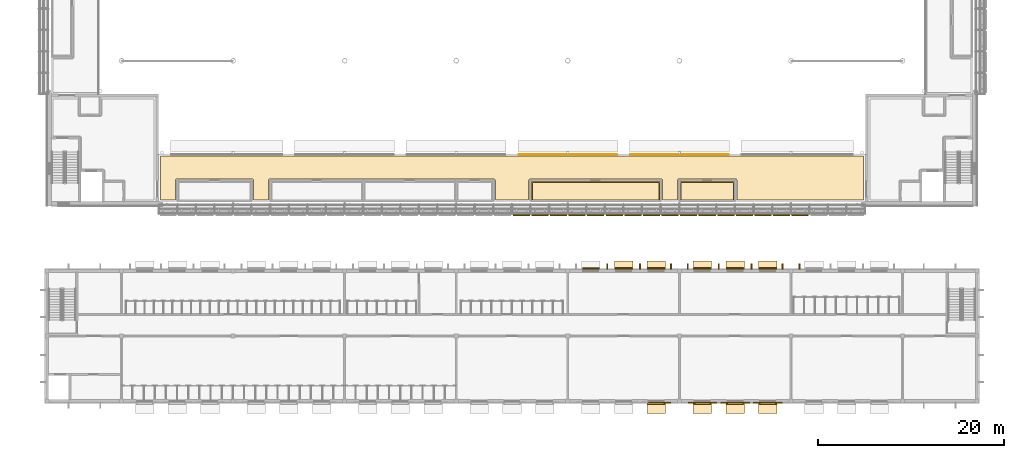
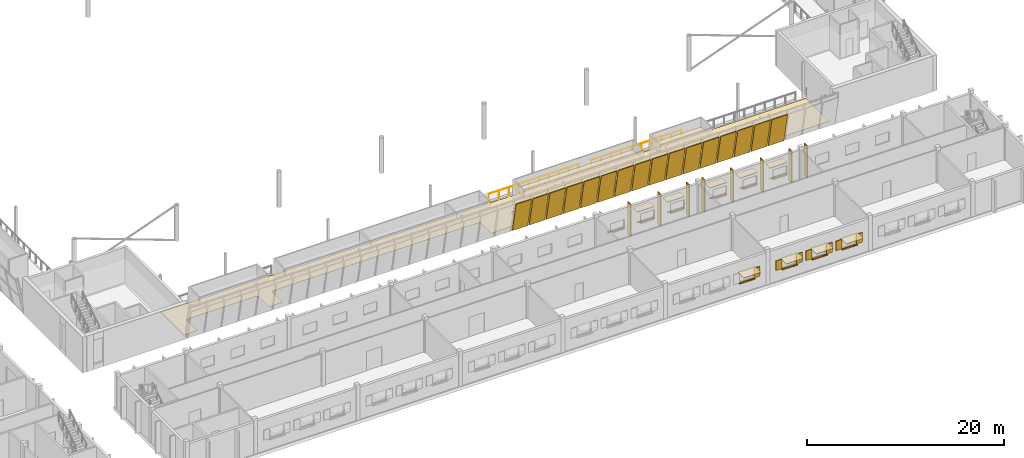
# One storey, part 100 of 115: 31 shading devices, 24 coverings, 2 railings.
"""IFC4 building model written with IfcOpenShell, lengths in metres."""

import ifcopenshell
import ifcopenshell.guid

model = None  # the IFC model being written
_history = None  # IfcOwnerHistory: only IFC2X3 demands one
_inside = {}  # id of a spatial element -> (the spatial element, [elements in it])
_under = {}  # id of a project, library or spatial element -> (it, [spatial elements below it])
_declared = {}  # id of a project -> (the project, [libraries it declares])
_typed = {}  # id of a type object -> (the type object, [elements of that type])
_made_of = {}  # id of a material, layer set ... -> (it, [elements and type objects made of it])


def new_model(schema):
    """Start an empty IFC model of exactly this schema.

    Asked for "IFC4X3", IfcOpenShell would pick the latest addendum, in which some entities
    have other attributes; the version numbers below select the first issue.
    IFC2X3 requires an IfcOwnerHistory on every rooted entity: one is made here for all.
    """
    global model, _history
    if schema == "IFC4X3":
        model = ifcopenshell.file(schema_version=(4, 3, 0, 0))
    else:
        model = ifcopenshell.file(schema=schema)
    _inside.clear()
    _under.clear()
    _declared.clear()
    _typed.clear()
    _made_of.clear()
    _history = None
    if model.schema == "IFC2X3":
        org = make("IfcOrganization", Name="unknown")
        user = make(
            "IfcPersonAndOrganization",
            ThePerson=make("IfcPerson", FamilyName="unknown"),
            TheOrganization=org,
        )
        app = make(
            "IfcApplication",
            ApplicationDeveloper=org,
            Version="unknown",
            ApplicationFullName="unknown",
            ApplicationIdentifier="unknown",
        )
        _history = make(
            "IfcOwnerHistory",
            OwningUser=user,
            OwningApplication=app,
            ChangeAction="ADDED",
            CreationDate=0,
        )
    return model


def make(cls, **values):
    """One entity of the class cls with the attributes given. An attribute that is None is left unset."""
    return model.create_entity(
        cls, **{name: value for name, value in values.items() if value is not None}
    )


def rooted(cls, **values):
    """An entity with a GlobalId (a new one), such as an element, a storey or a relation."""
    return make(cls, GlobalId=ifcopenshell.guid.new(), OwnerHistory=_history, **values)


def si_unit(unit_type, name, prefix=None):
    """IfcSIUnit, for example si_unit("LENGTHUNIT", "METRE", prefix="MILLI")."""
    return make("IfcSIUnit", UnitType=unit_type, Prefix=prefix, Name=name)


def assignment(units):
    """IfcUnitAssignment: the units of a project."""
    return None if units is None else make("IfcUnitAssignment", Units=units)


def point(xyz):
    """IfcCartesianPoint."""
    return None if xyz is None else make("IfcCartesianPoint", Coordinates=xyz)


def direction(xyz):
    """IfcDirection."""
    return None if xyz is None else make("IfcDirection", DirectionRatios=xyz)


def frame(location, z_axis=None, x_axis=None):
    """IfcAxis2Placement3D, a coordinate frame: its origin and axes. An axis left out is left unset."""
    return make(
        "IfcAxis2Placement3D",
        Location=point(location),
        Axis=direction(z_axis),
        RefDirection=direction(x_axis),
    )


def frame_2d(location, x_axis=None):
    """IfcAxis2Placement2D, a coordinate frame in the plane: its origin and x axis."""
    return make(
        "IfcAxis2Placement2D", Location=point(location), RefDirection=direction(x_axis)
    )


def origin():
    """The frame at (0, 0, 0) with its axes left unset."""
    return frame((0.0, 0.0, 0.0))


def origin_2d():
    """The frame at (0, 0) in the plane with its x axis left unset."""
    return frame_2d((0.0, 0.0))


def place(relative_to, where):
    """IfcLocalPlacement: puts the frame where relative to a parent placement (None: the world)."""
    return make(
        "IfcLocalPlacement", PlacementRelTo=relative_to, RelativePlacement=where
    )


def context(
    kind, dimensions, precision=None, world=None, true_north=None, identifier=None
):
    """IfcGeometricRepresentationContext, for example the 3D "Model" context."""
    return make(
        "IfcGeometricRepresentationContext",
        ContextIdentifier=identifier,
        ContextType=kind,
        CoordinateSpaceDimension=dimensions,
        Precision=precision,
        WorldCoordinateSystem=world,
        TrueNorth=true_north,
    )


def subcontext(parent, identifier, kind, view, scale=None):
    """IfcGeometricRepresentationSubContext, for example "Body" below "Model"."""
    return make(
        "IfcGeometricRepresentationSubContext",
        ContextIdentifier=identifier,
        ContextType=kind,
        ParentContext=parent,
        TargetScale=scale,
        TargetView=view,
    )


def project(units=None, contexts=None):
    """IfcProject with its units and contexts."""
    return rooted(
        "IfcProject",
        Name="project",
        RepresentationContexts=contexts,
        UnitsInContext=assignment(units),
    )


def spatial(cls, under=None, at=None, **own):
    """A site, building, storey or space (cls), placed at a placement, below another one or the project."""
    s = rooted(cls, ObjectPlacement=at, **own)
    if under is not None:
        _under.setdefault(under.id(), (under, []))[1].append(s)
    return s


def polyline(points):
    """IfcPolyline through the points."""
    return make("IfcPolyline", Points=[point(p) for p in points])


def profile(cls, at=None, kind="AREA", **sizes):
    """A parametric profile (cls). Its sizes go by their IFC names, for example OverallWidth=200.0."""
    return make(cls, ProfileType=kind, Position=at, **sizes)


def circle(**sizes):
    """IfcCircleProfileDef."""
    return profile("IfcCircleProfileDef", **sizes)


def outline(outer, holes=None, kind="AREA"):
    """IfcArbitraryClosedProfileDef: a profile drawn as a closed curve; with holes, ...WithVoids."""
    if holes is None:
        return make("IfcArbitraryClosedProfileDef", ProfileType=kind, OuterCurve=outer)
    return make(
        "IfcArbitraryProfileDefWithVoids",
        ProfileType=kind,
        OuterCurve=outer,
        InnerCurves=holes,
    )


def extrude(swept, where, along, depth):
    """IfcExtrudedAreaSolid: the profile swept, set in the frame where, extruded along a direction by depth."""
    return make(
        "IfcExtrudedAreaSolid",
        SweptArea=swept,
        Position=where,
        ExtrudedDirection=direction(along),
        Depth=depth,
    )


def shape(context_of_items, identifier, shape_type, items):
    """IfcShapeRepresentation: the items that make up one representation, for example the "Body"."""
    return make(
        "IfcShapeRepresentation",
        ContextOfItems=context_of_items,
        RepresentationIdentifier=identifier,
        RepresentationType=shape_type,
        Items=items,
    )


def material(Name=None, Category=None):
    """IfcMaterial."""
    return make("IfcMaterial", Name=Name, Category=Category)


def layer(
    of_material, thickness, ventilated=None, Name=None, Category=None, Priority=None
):
    """IfcMaterialLayer: one layer of a wall or slab, of a material (None: an air gap)."""
    return make(
        "IfcMaterialLayer",
        Material=of_material,
        LayerThickness=thickness,
        IsVentilated=ventilated,
        Name=Name,
        Category=Category,
        Priority=Priority,
    )


def layer_set(layers, Name=None):
    """IfcMaterialLayerSet."""
    return make("IfcMaterialLayerSet", MaterialLayers=layers, LayerSetName=Name)


def made_of(thing, what):
    """Note that an element or type object is made of a material, layer set ...; save() writes the relation."""
    if what is not None:
        _made_of.setdefault(what.id(), (what, []))[1].append(thing)
    return thing


def type_object(cls, material=None, **own):
    """A type object (cls), such as IfcWallType, which elements share."""
    return made_of(rooted(cls, **own), material)


def element(
    cls,
    number,
    at=None,
    inside=None,
    cuts=None,
    type_object=None,
    material=None,
    context=None,
    identifier="Body",
    shape_type=None,
    held_by="IfcProductDefinitionShape",
    body=None,
    shapes=None,
    **own,
):
    """One element of the class cls, such as IfcWall. Its Tag is "e" and its number.

    at: its placement. inside: the storey or other place that contains it. cuts: it is an
    opening in that element (IfcRelVoidsElement). A single representation is given by context,
    identifier, shape_type and body (its items); several are given by shapes. held_by: the class
    of the entity that holds the representations. save() writes the other relations.
    """
    e = rooted(cls, Tag="e%d" % number, ObjectPlacement=at, **own)
    if body is not None:
        shapes = [shape(context, identifier, shape_type, body)]
    if shapes is not None:
        e.Representation = make(held_by, Representations=shapes)
    if inside is not None:
        _inside.setdefault(inside.id(), (inside, []))[1].append(e)
    if cuts is not None:
        rooted(
            "IfcRelVoidsElement", RelatingBuildingElement=cuts, RelatedOpeningElement=e
        )
    if type_object is not None:
        _typed.setdefault(type_object.id(), (type_object, []))[1].append(e)
    return made_of(e, material)


def aggregate(whole, parts):
    """IfcRelAggregates: a whole, such as a stair, and the parts it consists of."""
    return rooted("IfcRelAggregates", RelatingObject=whole, RelatedObjects=parts)


def save(model, path):
    """Write the relations noted so far, then the file.

    IfcRelAggregates (storeys below a building ...), IfcRelContainedInSpatialStructure (elements
    in a storey), IfcRelDefinesByType, IfcRelAssociatesMaterial and IfcRelDeclares: one each for
    every whole, place, type object, material and project.
    """
    for whole, parts in _under.values():
        aggregate(whole, parts)
    for where, things in _inside.values():
        rooted(
            "IfcRelContainedInSpatialStructure",
            RelatedElements=things,
            RelatingStructure=where,
        )
    for kind, things in _typed.values():
        rooted("IfcRelDefinesByType", RelatedObjects=things, RelatingType=kind)
    for what, things in _made_of.values():
        rooted("IfcRelAssociatesMaterial", RelatedObjects=things, RelatingMaterial=what)
    for by, libraries in _declared.values():
        rooted("IfcRelDeclares", RelatingContext=by, RelatedDefinitions=libraries)
    model.write(path)


model = new_model("IFC4")

# Units and contexts
model_context = context("Model", 3, precision=1e-05, world=origin(), true_north=direction((0.0, 1.0)))
body_context = subcontext(model_context, "Body", "Model", "MODEL_VIEW")
ifc_project = project(units=[si_unit("LENGTHUNIT", "METRE"), si_unit("AREAUNIT", "SQUARE_METRE"), si_unit("VOLUMEUNIT", "CUBIC_METRE"), si_unit("PLANEANGLEUNIT", "RADIAN"), si_unit("MASSUNIT", "GRAM", prefix="KILO")], contexts=[model_context])

# Site, building, storey
site_placement = place(None, origin())
site = spatial("IfcSite", under=ifc_project, at=site_placement, CompositionType="ELEMENT")
building_placement = place(site_placement, origin())
building = spatial("IfcBuilding", under=site, at=building_placement, Name="Windward Yard Aquatics Centre", CompositionType="ELEMENT")
storey_placement = place(building_placement, frame((0.0, 0.0, 5.0)))
storey = spatial("IfcBuildingStorey", under=building, at=storey_placement, Name="L01", CompositionType="ELEMENT", Elevation=5.0)

# Shading devices
ifc_material_1 = material(Name="Aluminium louvre blades, powder coated", Category="aluminium")
ifc_layer_1 = layer(ifc_material_1, 0.080078125)
ifc_layer_set_1 = layer_set([ifc_layer_1], Name="C storm shutter louvred 700x1200")
shading_device_type_1 = type_object("IfcShadingDeviceType", Name="C storm shutter louvred 700x1200", PredefinedType="SHUTTER", material=ifc_layer_set_1)
shading_device_1_placement = place(storey_placement, frame((0.0, 0.0, 1.39990234375)))
element("IfcShadingDevice", 1, at=shading_device_1_placement, inside=storey, type_object=shading_device_type_1, Name="Storm shutter CW1015R", PredefinedType="SHUTTER", context=body_context, shape_type="SweptSolid", body=[
    extrude(outline(polyline([(118.36669921875, 4.77001953125), (118.36669921875, 4.85009765625), (119.066650390625, 4.85009765625), (119.066650390625, 4.77001953125), (118.36669921875, 4.77001953125)])), origin(), (0.0, 0.0, 1.0), 1.2001953125),
])
shading_device_2_placement = place(storey_placement, frame((0.0, 0.0, 1.39990234375)))
element("IfcShadingDevice", 2, at=shading_device_2_placement, inside=storey, type_object=shading_device_type_1, Name="Storm shutter CW1016L", PredefinedType="SHUTTER", context=body_context, shape_type="SweptSolid", body=[
    extrude(outline(polyline([(120.933349609375, 4.77001953125), (120.933349609375, 4.85009765625), (121.63330078125, 4.85009765625), (121.63330078125, 4.77001953125), (120.933349609375, 4.77001953125)])), origin(), (0.0, 0.0, 1.0), 1.2001953125),
])
shading_device_3_placement = place(storey_placement, frame((0.0, 0.0, 1.39990234375)))
element("IfcShadingDevice", 3, at=shading_device_3_placement, inside=storey, type_object=shading_device_type_1, Name="Storm shutter CW1016R", PredefinedType="SHUTTER", context=body_context, shape_type="SweptSolid", body=[
    extrude(outline(polyline([(123.333251953125, 4.77001953125), (123.333251953125, 4.85009765625), (124.033203125, 4.85009765625), (124.033203125, 4.77001953125), (123.333251953125, 4.77001953125)])), origin(), (0.0, 0.0, 1.0), 1.2001953125),
])
shading_device_4_placement = place(storey_placement, frame((0.0, 0.0, 1.39990234375)))
element("IfcShadingDevice", 4, at=shading_device_4_placement, inside=storey, type_object=shading_device_type_1, Name="Storm shutter CW1017L", PredefinedType="SHUTTER", context=body_context, shape_type="SweptSolid", body=[
    extrude(outline(polyline([(124.449951171875, 4.77001953125), (124.449951171875, 4.85009765625), (125.14990234375, 4.85009765625), (125.14990234375, 4.77001953125), (124.449951171875, 4.77001953125)])), origin(), (0.0, 0.0, 1.0), 1.2001953125),
])
shading_device_5_placement = place(storey_placement, frame((0.0, 0.0, 1.39990234375)))
element("IfcShadingDevice", 5, at=shading_device_5_placement, inside=storey, type_object=shading_device_type_1, Name="Storm shutter CW1017R", PredefinedType="SHUTTER", context=body_context, shape_type="SweptSolid", body=[
    extrude(outline(polyline([(126.85009765625, 4.77001953125), (126.85009765625, 4.85009765625), (127.550048828125, 4.85009765625), (127.550048828125, 4.77001953125), (126.85009765625, 4.77001953125)])), origin(), (0.0, 0.0, 1.0), 1.2001953125),
])
shading_device_6_placement = place(storey_placement, frame((0.0, 0.0, 1.39990234375)))
element("IfcShadingDevice", 6, at=shading_device_6_placement, inside=storey, type_object=shading_device_type_1, Name="Storm shutter CW1018L", PredefinedType="SHUTTER", context=body_context, shape_type="SweptSolid", body=[
    extrude(outline(polyline([(127.966796875, 4.77001953125), (127.966796875, 4.85009765625), (128.666748046875, 4.85009765625), (128.666748046875, 4.77001953125), (127.966796875, 4.77001953125)])), origin(), (0.0, 0.0, 1.0), 1.2001953125),
])
shading_device_7_placement = place(storey_placement, frame((0.0, 0.0, 1.39990234375)))
element("IfcShadingDevice", 7, at=shading_device_7_placement, inside=storey, type_object=shading_device_type_1, Name="Storm shutter CW1018R", PredefinedType="SHUTTER", context=body_context, shape_type="SweptSolid", body=[
    extrude(outline(polyline([(130.36669921875, 4.77001953125), (130.36669921875, 4.85009765625), (131.066650390625, 4.85009765625), (131.066650390625, 4.77001953125), (130.36669921875, 4.77001953125)])), origin(), (0.0, 0.0, 1.0), 1.2001953125),
])
ifc_material_2 = material(Name="Aluminium fin, powder coated", Category="aluminium")
shading_device_type_2 = type_object("IfcShadingDeviceType", Name="C vertical fin 150x600", PredefinedType="USERDEFINED", material=ifc_material_2)
shading_device_8_placement = place(storey_placement, origin())
element("IfcShadingDevice", 8, at=shading_device_8_placement, inside=storey, type_object=shading_device_type_2, Name="Vertical fin C.W.L01.N6.2.1", ObjectType="FIN", PredefinedType="USERDEFINED", context=body_context, shape_type="SweptSolid", body=[
    extrude(outline(polyline([(112.16650390625, 19.14990234375), (112.316650390625, 19.14990234375), (112.316650390625, 19.75), (112.16650390625, 19.75), (112.16650390625, 19.14990234375)])), origin(), (0.0, 0.0, 1.0), 3.929931640625),
])
shading_device_9_placement = place(storey_placement, origin())
element("IfcShadingDevice", 9, at=shading_device_9_placement, inside=storey, type_object=shading_device_type_2, Name="Vertical fin C.W.L01.N6.3.1", ObjectType="FIN", PredefinedType="USERDEFINED", context=body_context, shape_type="SweptSolid", body=[
    extrude(outline(polyline([(115.683349609375, 19.14990234375), (115.833251953125, 19.14990234375), (115.833251953125, 19.75), (115.683349609375, 19.75), (115.683349609375, 19.14990234375)])), origin(), (0.0, 0.0, 1.0), 3.929931640625),
])
shading_device_10_placement = place(storey_placement, origin())
element("IfcShadingDevice", 10, at=shading_device_10_placement, inside=storey, type_object=shading_device_type_2, Name="Vertical fin C.W.L01.N6.4.1", ObjectType="FIN", PredefinedType="USERDEFINED", context=body_context, shape_type="SweptSolid", body=[
    extrude(outline(polyline([(119.020751953125, 19.14990234375), (119.1708984375, 19.14990234375), (119.1708984375, 19.75), (119.020751953125, 19.75), (119.020751953125, 19.14990234375)])), origin(), (0.0, 0.0, 1.0), 3.929931640625),
])
shading_device_11_placement = place(storey_placement, origin())
element("IfcShadingDevice", 11, at=shading_device_11_placement, inside=storey, type_object=shading_device_type_2, Name="Vertical fin C.W.L01.N7.1.1", ObjectType="FIN", PredefinedType="USERDEFINED", context=body_context, shape_type="SweptSolid", body=[
    extrude(outline(polyline([(120.8291015625, 19.14990234375), (120.97900390625, 19.14990234375), (120.97900390625, 19.75), (120.8291015625, 19.75), (120.8291015625, 19.14990234375)])), origin(), (0.0, 0.0, 1.0), 3.929931640625),
])
shading_device_12_placement = place(storey_placement, origin())
element("IfcShadingDevice", 12, at=shading_device_12_placement, inside=storey, type_object=shading_device_type_2, Name="Vertical fin C.W.L01.N7.2.1", ObjectType="FIN", PredefinedType="USERDEFINED", context=body_context, shape_type="SweptSolid", body=[
    extrude(outline(polyline([(124.16650390625, 19.14990234375), (124.316650390625, 19.14990234375), (124.316650390625, 19.75), (124.16650390625, 19.75), (124.16650390625, 19.14990234375)])), origin(), (0.0, 0.0, 1.0), 3.929931640625),
])
shading_device_13_placement = place(storey_placement, origin())
element("IfcShadingDevice", 13, at=shading_device_13_placement, inside=storey, type_object=shading_device_type_2, Name="Vertical fin C.W.L01.N7.3.1", ObjectType="FIN", PredefinedType="USERDEFINED", context=body_context, shape_type="SweptSolid", body=[
    extrude(outline(polyline([(127.683349609375, 19.14990234375), (127.833251953125, 19.14990234375), (127.833251953125, 19.75), (127.683349609375, 19.75), (127.683349609375, 19.14990234375)])), origin(), (0.0, 0.0, 1.0), 3.929931640625),
])
shading_device_14_placement = place(storey_placement, origin())
element("IfcShadingDevice", 14, at=shading_device_14_placement, inside=storey, type_object=shading_device_type_2, Name="Vertical fin C.W.L01.N7.4.1", ObjectType="FIN", PredefinedType="USERDEFINED", context=body_context, shape_type="SweptSolid", body=[
    extrude(outline(polyline([(131.020751953125, 19.14990234375), (131.1708984375, 19.14990234375), (131.1708984375, 19.75), (131.020751953125, 19.75), (131.020751953125, 19.14990234375)])), origin(), (0.0, 0.0, 1.0), 3.929931640625),
])
shading_device_15_placement = place(storey_placement, origin())
element("IfcShadingDevice", 15, at=shading_device_15_placement, inside=storey, type_object=shading_device_type_2, Name="Vertical fin C.W.L01.N8.1.1", ObjectType="FIN", PredefinedType="USERDEFINED", context=body_context, shape_type="SweptSolid", body=[
    extrude(outline(polyline([(132.8291015625, 19.14990234375), (132.979248046875, 19.14990234375), (132.979248046875, 19.75), (132.8291015625, 19.75), (132.8291015625, 19.14990234375)])), origin(), (0.0, 0.0, 1.0), 3.929931640625),
])

# Coverings
ifc_material_3 = material(Name="Aluminium composite hood, powder coated", Category="aluminium")
ifc_layer_2 = layer(ifc_material_3, 0.080078125)
ifc_layer_set_2 = layer_set([ifc_layer_2], Name="C window hood aluminium 2000x1200")
covering_type_1 = type_object("IfcCoveringType", Name="C window hood aluminium 2000x1200", PredefinedType="CLADDING", material=ifc_layer_set_2)
covering_1_placement = place(storey_placement, frame((0.0, 0.0, 2.64990234375)))
element("IfcCovering", 16, at=covering_1_placement, inside=storey, type_object=covering_type_1, Name="Window hood CW1015", PredefinedType="CLADDING", context=body_context, shape_type="SweptSolid", body=[
    extrude(outline(polyline([(116.5166015625, 3.64990234375), (116.5166015625, 4.85009765625), (118.5166015625, 4.85009765625), (118.5166015625, 3.64990234375), (116.5166015625, 3.64990234375)])), origin(), (0.0, 0.0, 1.0), 0.080078125),
])
covering_2_placement = place(storey_placement, frame((0.0, 0.0, 2.64990234375)))
element("IfcCovering", 17, at=covering_2_placement, inside=storey, type_object=covering_type_1, Name="Window hood CW1016", PredefinedType="CLADDING", context=body_context, shape_type="SweptSolid", body=[
    extrude(outline(polyline([(121.4833984375, 3.64990234375), (121.4833984375, 4.85009765625), (123.4833984375, 4.85009765625), (123.4833984375, 3.64990234375), (121.4833984375, 3.64990234375)])), origin(), (0.0, 0.0, 1.0), 0.080078125),
])
covering_3_placement = place(storey_placement, frame((0.0, 0.0, 2.64990234375)))
element("IfcCovering", 18, at=covering_3_placement, inside=storey, type_object=covering_type_1, Name="Window hood CW1017", PredefinedType="CLADDING", context=body_context, shape_type="SweptSolid", body=[
    extrude(outline(polyline([(125.0, 3.64990234375), (125.0, 4.85009765625), (127.0, 4.85009765625), (127.0, 3.64990234375), (125.0, 3.64990234375)])), origin(), (0.0, 0.0, 1.0), 0.080078125),
])
covering_4_placement = place(storey_placement, frame((0.0, 0.0, 2.64990234375)))
element("IfcCovering", 19, at=covering_4_placement, inside=storey, type_object=covering_type_1, Name="Window hood CW1018", PredefinedType="CLADDING", context=body_context, shape_type="SweptSolid", body=[
    extrude(outline(polyline([(128.5166015625, 3.64990234375), (128.5166015625, 4.85009765625), (130.5166015625, 4.85009765625), (130.5166015625, 3.64990234375), (128.5166015625, 3.64990234375)])), origin(), (0.0, 0.0, 1.0), 0.080078125),
])
ifc_layer_3 = layer(ifc_material_3, 0.080078125)
ifc_layer_set_3 = layer_set([ifc_layer_3], Name="C window hood aluminium 2000x900")
covering_type_2 = type_object("IfcCoveringType", Name="C window hood aluminium 2000x900", PredefinedType="CLADDING", material=ifc_layer_set_3)
covering_5_placement = place(storey_placement, frame((0.0, 0.0, 2.64990234375)))
element("IfcCovering", 20, at=covering_5_placement, inside=storey, type_object=covering_type_2, Name="Window hood CW1035", PredefinedType="CLADDING", context=body_context, shape_type="SweptSolid", body=[
    extrude(outline(polyline([(113.0, 19.14990234375), (115.0, 19.14990234375), (115.0, 20.050048828125), (113.0, 20.050048828125), (113.0, 19.14990234375)])), origin(), (0.0, 0.0, 1.0), 0.080078125),
])
covering_6_placement = place(storey_placement, frame((0.0, 0.0, 2.64990234375)))
element("IfcCovering", 21, at=covering_6_placement, inside=storey, type_object=covering_type_2, Name="Window hood CW1036", PredefinedType="CLADDING", context=body_context, shape_type="SweptSolid", body=[
    extrude(outline(polyline([(116.5166015625, 19.14990234375), (118.5166015625, 19.14990234375), (118.5166015625, 20.050048828125), (116.5166015625, 20.050048828125), (116.5166015625, 19.14990234375)])), origin(), (0.0, 0.0, 1.0), 0.080078125),
])
covering_7_placement = place(storey_placement, frame((0.0, 0.0, 2.64990234375)))
element("IfcCovering", 22, at=covering_7_placement, inside=storey, type_object=covering_type_2, Name="Window hood CW1037", PredefinedType="CLADDING", context=body_context, shape_type="SweptSolid", body=[
    extrude(outline(polyline([(121.4833984375, 19.14990234375), (123.4833984375, 19.14990234375), (123.4833984375, 20.050048828125), (121.4833984375, 20.050048828125), (121.4833984375, 19.14990234375)])), origin(), (0.0, 0.0, 1.0), 0.080078125),
])
covering_8_placement = place(storey_placement, frame((0.0, 0.0, 2.64990234375)))
element("IfcCovering", 23, at=covering_8_placement, inside=storey, type_object=covering_type_2, Name="Window hood CW1038", PredefinedType="CLADDING", context=body_context, shape_type="SweptSolid", body=[
    extrude(outline(polyline([(125.0, 19.14990234375), (127.0, 19.14990234375), (127.0, 20.050048828125), (125.0, 20.050048828125), (125.0, 19.14990234375)])), origin(), (0.0, 0.0, 1.0), 0.080078125),
])
covering_9_placement = place(storey_placement, frame((0.0, 0.0, 2.64990234375)))
element("IfcCovering", 24, at=covering_9_placement, inside=storey, type_object=covering_type_2, Name="Window hood CW1039", PredefinedType="CLADDING", context=body_context, shape_type="SweptSolid", body=[
    extrude(outline(polyline([(128.5166015625, 19.14990234375), (130.5166015625, 19.14990234375), (130.5166015625, 20.050048828125), (128.5166015625, 20.050048828125), (128.5166015625, 19.14990234375)])), origin(), (0.0, 0.0, 1.0), 0.080078125),
])
ifc_material_4 = material(Name="Limestone sill", Category="masonry")
ifc_layer_4 = layer(ifc_material_4, 0.080078125)
ifc_layer_set_4 = layer_set([ifc_layer_4], Name="C window sill stone 1800x200")
covering_type_3 = type_object("IfcCoveringType", Name="C window sill stone 1800x200", PredefinedType="CLADDING", material=ifc_layer_set_4)
covering_10_placement = place(storey_placement, frame((0.0, 0.0, 1.320068359375)))
element("IfcCovering", 25, at=covering_10_placement, inside=storey, type_object=covering_type_3, Name="Window sill CW1034", PredefinedType="CLADDING", context=body_context, shape_type="SweptSolid", body=[
    extrude(outline(polyline([(109.583251953125, 19.14990234375), (111.38330078125, 19.14990234375), (111.38330078125, 19.35009765625), (109.583251953125, 19.35009765625), (109.583251953125, 19.14990234375)])), origin(), (0.0, 0.0, 1.0), 0.079833984375),
])
covering_11_placement = place(storey_placement, frame((0.0, 0.0, 1.320068359375)))
element("IfcCovering", 26, at=covering_11_placement, inside=storey, type_object=covering_type_3, Name="Window sill CW1035", PredefinedType="CLADDING", context=body_context, shape_type="SweptSolid", body=[
    extrude(outline(polyline([(113.10009765625, 19.14990234375), (114.89990234375, 19.14990234375), (114.89990234375, 19.35009765625), (113.10009765625, 19.35009765625), (113.10009765625, 19.14990234375)])), origin(), (0.0, 0.0, 1.0), 0.079833984375),
])
covering_12_placement = place(storey_placement, frame((0.0, 0.0, 1.320068359375)))
element("IfcCovering", 27, at=covering_12_placement, inside=storey, type_object=covering_type_3, Name="Window sill CW1036", PredefinedType="CLADDING", context=body_context, shape_type="SweptSolid", body=[
    extrude(outline(polyline([(116.61669921875, 19.14990234375), (118.416748046875, 19.14990234375), (118.416748046875, 19.35009765625), (116.61669921875, 19.35009765625), (116.61669921875, 19.14990234375)])), origin(), (0.0, 0.0, 1.0), 0.079833984375),
])
covering_13_placement = place(storey_placement, frame((0.0, 0.0, 1.320068359375)))
element("IfcCovering", 28, at=covering_13_placement, inside=storey, type_object=covering_type_3, Name="Window sill CW1037", PredefinedType="CLADDING", context=body_context, shape_type="SweptSolid", body=[
    extrude(outline(polyline([(121.583251953125, 19.14990234375), (123.38330078125, 19.14990234375), (123.38330078125, 19.35009765625), (121.583251953125, 19.35009765625), (121.583251953125, 19.14990234375)])), origin(), (0.0, 0.0, 1.0), 0.079833984375),
])
covering_14_placement = place(storey_placement, frame((0.0, 0.0, 1.320068359375)))
element("IfcCovering", 29, at=covering_14_placement, inside=storey, type_object=covering_type_3, Name="Window sill CW1038", PredefinedType="CLADDING", context=body_context, shape_type="SweptSolid", body=[
    extrude(outline(polyline([(125.10009765625, 19.14990234375), (126.89990234375, 19.14990234375), (126.89990234375, 19.35009765625), (125.10009765625, 19.35009765625), (125.10009765625, 19.14990234375)])), origin(), (0.0, 0.0, 1.0), 0.079833984375),
])
covering_15_placement = place(storey_placement, frame((0.0, 0.0, 1.320068359375)))
element("IfcCovering", 30, at=covering_15_placement, inside=storey, type_object=covering_type_3, Name="Window sill CW1039", PredefinedType="CLADDING", context=body_context, shape_type="SweptSolid", body=[
    extrude(outline(polyline([(128.61669921875, 19.14990234375), (130.416748046875, 19.14990234375), (130.416748046875, 19.35009765625), (128.61669921875, 19.35009765625), (128.61669921875, 19.14990234375)])), origin(), (0.0, 0.0, 1.0), 0.079833984375),
])
covering_16_placement = place(storey_placement, frame((0.0, 0.0, 1.320068359375)))
element("IfcCovering", 31, at=covering_16_placement, inside=storey, type_object=covering_type_3, Name="Window sill CW1015", PredefinedType="CLADDING", context=body_context, shape_type="SweptSolid", body=[
    extrude(outline(polyline([(116.61669921875, 4.64990234375), (116.61669921875, 4.85009765625), (118.416748046875, 4.85009765625), (118.416748046875, 4.64990234375), (116.61669921875, 4.64990234375)])), origin(), (0.0, 0.0, 1.0), 0.079833984375),
])
covering_17_placement = place(storey_placement, frame((0.0, 0.0, 1.320068359375)))
element("IfcCovering", 32, at=covering_17_placement, inside=storey, type_object=covering_type_3, Name="Window sill CW1016", PredefinedType="CLADDING", context=body_context, shape_type="SweptSolid", body=[
    extrude(outline(polyline([(121.583251953125, 4.64990234375), (121.583251953125, 4.85009765625), (123.38330078125, 4.85009765625), (123.38330078125, 4.64990234375), (121.583251953125, 4.64990234375)])), origin(), (0.0, 0.0, 1.0), 0.079833984375),
])
covering_18_placement = place(storey_placement, frame((0.0, 0.0, 1.320068359375)))
element("IfcCovering", 33, at=covering_18_placement, inside=storey, type_object=covering_type_3, Name="Window sill CW1017", PredefinedType="CLADDING", context=body_context, shape_type="SweptSolid", body=[
    extrude(outline(polyline([(125.10009765625, 4.64990234375), (125.10009765625, 4.85009765625), (126.89990234375, 4.85009765625), (126.89990234375, 4.64990234375), (125.10009765625, 4.64990234375)])), origin(), (0.0, 0.0, 1.0), 0.079833984375),
])
covering_19_placement = place(storey_placement, frame((0.0, 0.0, 1.320068359375)))
element("IfcCovering", 34, at=covering_19_placement, inside=storey, type_object=covering_type_3, Name="Window sill CW1018", PredefinedType="CLADDING", context=body_context, shape_type="SweptSolid", body=[
    extrude(outline(polyline([(128.61669921875, 4.64990234375), (128.61669921875, 4.85009765625), (130.416748046875, 4.85009765625), (130.416748046875, 4.64990234375), (128.61669921875, 4.64990234375)])), origin(), (0.0, 0.0, 1.0), 0.079833984375),
])
ifc_material_5 = material(Name="Polished screed")
ifc_layer_5 = layer(ifc_material_5, 0.0400390625)
ifc_layer_set_5 = layer_set([ifc_layer_5], Name="H Floor Finish Screed 40")
covering_type_4 = type_object("IfcCoveringType", Name="H Floor Finish Screed 40", PredefinedType="FLOORING", material=ifc_layer_set_5)
covering_20_placement = place(storey_placement, origin())
element("IfcCovering", 35, at=covering_20_placement, inside=storey, type_object=covering_type_4, Name="Cafe Counter floor finish", PredefinedType="FLOORING", context=body_context, shape_type="SweptSolid", body=[
    extrude(outline(polyline([(104.199951171875, 26.64990234375), (104.199951171875, 28.5), (117.800048828125, 28.5), (117.800048828125, 26.64990234375), (104.199951171875, 26.64990234375)])), origin(), (0.0, 0.0, 1.0), 0.02001953125),
])
covering_21_placement = place(storey_placement, origin())
element("IfcCovering", 36, at=covering_21_placement, inside=storey, type_object=covering_type_4, Name="Concession Store floor finish", PredefinedType="FLOORING", context=body_context, shape_type="SweptSolid", body=[
    extrude(outline(polyline([(120.199951171875, 26.64990234375), (120.199951171875, 28.5), (125.800048828125, 28.5), (125.800048828125, 26.64990234375), (120.199951171875, 26.64990234375)])), origin(), (0.0, 0.0, 1.0), 0.02001953125),
])
covering_22_placement = place(storey_placement, origin())
element("IfcCovering", 37, at=covering_22_placement, inside=storey, type_object=covering_type_4, Name="Concourse South floor finish", PredefinedType="FLOORING", context=body_context, shape_type="SweptSolid", body=[
    extrude(outline(polyline([(64.199951171875, 26.64990234375), (64.199951171875, 31.359619140625), (139.800048828125, 31.359619140625), (139.800048828125, 26.64990234375), (126.199951171875, 26.64990234375), (126.198974609375, 28.719482421875), (126.19140625, 28.758056640625), (126.184814453125, 28.776611328125), (126.166259765625, 28.81103515625), (126.141357421875, 28.84130859375), (126.111083984375, 28.8662109375), (126.076416015625, 28.884765625), (126.0390625, 28.896240234375), (126.0, 28.89990234375), (120.0, 28.89990234375), (119.9609375, 28.896240234375), (119.923583984375, 28.884765625), (119.90576171875, 28.87646484375), (119.873046875, 28.8544921875), (119.845458984375, 28.826904296875), (119.833740234375, 28.81103515625), (119.815185546875, 28.776611328125), (119.80859375, 28.758056640625), (119.801025390625, 28.719482421875), (119.800048828125, 26.64990234375), (118.199951171875, 26.64990234375), (118.198974609375, 28.719482421875), (118.19140625, 28.758056640625), (118.184814453125, 28.776611328125), (118.166259765625, 28.81103515625), (118.141357421875, 28.84130859375), (118.111083984375, 28.8662109375), (118.076416015625, 28.884765625), (118.0390625, 28.896240234375), (118.0, 28.89990234375), (104.0, 28.89990234375), (103.9609375, 28.896240234375), (103.923583984375, 28.884765625), (103.90576171875, 28.87646484375), (103.873046875, 28.8544921875), (103.845458984375, 28.826904296875), (103.833740234375, 28.81103515625), (103.815185546875, 28.776611328125), (103.80859375, 28.758056640625), (103.801025390625, 28.719482421875), (103.800048828125, 26.64990234375), (100.199951171875, 26.64990234375), (100.198974609375, 28.719482421875), (100.19140625, 28.758056640625), (100.184814453125, 28.776611328125), (100.166259765625, 28.81103515625), (100.141357421875, 28.84130859375), (100.111083984375, 28.8662109375), (100.076416015625, 28.884765625), (100.0390625, 28.896240234375), (100.01953125, 28.89892578125), (75.98046875, 28.89892578125), (75.9609375, 28.896240234375), (75.923583984375, 28.884765625), (75.888916015625, 28.8662109375), (75.858642578125, 28.84130859375), (75.833740234375, 28.81103515625), (75.815185546875, 28.776611328125), (75.80859375, 28.758056640625), (75.801025390625, 28.719482421875), (75.800048828125, 26.64990234375), (74.199951171875, 26.64990234375), (74.198974609375, 28.719482421875), (74.19140625, 28.758056640625), (74.184814453125, 28.776611328125), (74.166259765625, 28.81103515625), (74.154541015625, 28.826904296875), (74.141357421875, 28.84130859375), (74.111083984375, 28.8662109375), (74.09423828125, 28.87646484375), (74.05810546875, 28.891357421875), (74.0390625, 28.896240234375), (74.0, 28.89990234375), (66.0, 28.89990234375), (65.9609375, 28.896240234375), (65.923583984375, 28.884765625), (65.888916015625, 28.8662109375), (65.858642578125, 28.84130859375), (65.833740234375, 28.81103515625), (65.815185546875, 28.776611328125), (65.80859375, 28.758056640625), (65.801025390625, 28.719482421875), (65.800048828125, 26.64990234375), (64.199951171875, 26.64990234375)])), origin(), (0.0, 0.0, 1.0), 0.02001953125),
])

# Railings
ifc_material_6 = material(Name="Stainless steel 1.4529", Category="steel")
railing_type = type_object("IfcRailingType", Name="H Guard Steel 1100", PredefinedType="GUARDRAIL", material=ifc_material_6)
for number, where, name in (
    (38, (102.72509765625, 31.509521484375, 0.0), "Concourse edge guard S5"),
    (39, (114.72509765625, 31.509521484375, 0.0), "Concourse edge guard S6"),
):
    element("IfcRailing", number, at=place(storey_placement, frame(where)), inside=storey, type_object=railing_type, Name=name, PredefinedType="GUARDRAIL", context=body_context, shape_type="SweptSolid", body=[
        extrude(circle(Radius=0.02392578125, at=origin_2d()), frame((0.0, 0.0, 1.076171875), z_axis=(1.0, 0.0, 0.0), x_axis=(0.0, 1.0, 0.0)), (0.0, 0.0, 1.0), 10.5498046875),
        extrude(circle(Radius=0.02099609375, at=origin_2d()), origin(), (0.0, 0.0, 1.0), 1.052001953125),
        extrude(circle(Radius=0.02099609375, at=origin_2d()), frame((1.172119140625, 0.0, 0.0)), (0.0, 0.0, 1.0), 1.052001953125),
        extrude(circle(Radius=0.02099609375, at=origin_2d()), frame((2.344482421875, 0.0, 0.0)), (0.0, 0.0, 1.0), 1.052001953125),
        extrude(circle(Radius=0.02099609375, at=origin_2d()), frame((3.5166015625, 0.0, 0.0)), (0.0, 0.0, 1.0), 1.052001953125),
        extrude(circle(Radius=0.02099609375, at=origin_2d()), frame((4.688720703125, 0.0, 0.0)), (0.0, 0.0, 1.0), 1.052001953125),
        extrude(circle(Radius=0.02099609375, at=origin_2d()), frame((5.861083984375, 0.0, 0.0)), (0.0, 0.0, 1.0), 1.052001953125),
        extrude(circle(Radius=0.02099609375, at=origin_2d()), frame((7.033203125, 0.0, 0.0)), (0.0, 0.0, 1.0), 1.052001953125),
        extrude(circle(Radius=0.02099609375, at=origin_2d()), frame((8.205322265625, 0.0, 0.0)), (0.0, 0.0, 1.0), 1.052001953125),
        extrude(circle(Radius=0.02099609375, at=origin_2d()), frame((9.377685546875, 0.0, 0.0)), (0.0, 0.0, 1.0), 1.052001953125),
        extrude(circle(Radius=0.02099609375, at=origin_2d()), frame((10.5498046875, 0.0, 0.0)), (0.0, 0.0, 1.0), 1.052001953125),
    ])

# Coverings
ifc_material_7 = material(Name="Mineral fibre tile")
ifc_layer_6 = layer(ifc_material_7, 0.02001953125)
ifc_layer_set_6 = layer_set([ifc_layer_6], Name="H Suspended Ceiling 600 x 600")
covering_type_5 = type_object("IfcCoveringType", Name="H Suspended Ceiling 600 x 600", PredefinedType="CEILING", material=ifc_layer_set_6)
covering_23_placement = place(storey_placement, frame((0.0, 0.0, 3.0)))
element("IfcCovering", 40, at=covering_23_placement, inside=storey, type_object=covering_type_5, Name="Cafe Counter ceiling", PredefinedType="CEILING", context=body_context, shape_type="SweptSolid", body=[
    extrude(outline(polyline([(104.075439453125, 26.6005859375), (104.075439453125, 28.62451171875), (117.924560546875, 28.62451171875), (117.924560546875, 26.6005859375), (104.075439453125, 26.6005859375)])), origin(), (0.0, 0.0, 1.0), 0.02001953125),
])
covering_24_placement = place(storey_placement, frame((0.0, 0.0, 3.0)))
element("IfcCovering", 41, at=covering_24_placement, inside=storey, type_object=covering_type_5, Name="Concession Store ceiling", PredefinedType="CEILING", context=body_context, shape_type="SweptSolid", body=[
    extrude(outline(polyline([(120.075439453125, 26.6005859375), (120.075439453125, 28.62451171875), (125.924560546875, 28.62451171875), (125.924560546875, 26.6005859375), (120.075439453125, 26.6005859375)])), origin(), (0.0, 0.0, 1.0), 0.02001953125),
])

# Shading devices
ifc_material_8 = material(Name="Aluminium extruded louvre blades, powder coated", Category="aluminium")
ifc_layer_7 = layer(ifc_material_8, 0.080078125)
ifc_layer_set_7 = layer_set([ifc_layer_7], Name="H storm louvre shutter 1802x3790")
shading_device_type_3 = type_object("IfcShadingDeviceType", Name="H storm louvre shutter 1802x3790", PredefinedType="SHUTTER", material=ifc_layer_set_7)
shading_device_16_placement = place(storey_placement, frame((102.1201171875, 24.989501953125, 4.000732421875), z_axis=(0.0, 0.979926212575, 0.199360522443), x_axis=(0.0, 0.199360522443, -0.979926212575)))
element("IfcShadingDevice", 42, at=shading_device_16_placement, inside=storey, type_object=shading_device_type_3, Name="Storm louvre S L01 B1", PredefinedType="SHUTTER", context=body_context, shape_type="SweptSolid", body=[
    extrude(outline(polyline([(0.0, 0.0), (3.790195, 0.0), (3.790195, -1.802002), (0.0, -1.802002), (0.0, 0.0)])), origin(), (0.0, 0.0, -1.0), 0.080078125),
])
for number, where, z_axis, x_axis, name in (
    (43, (104.087158203125, 24.989501953125, 4.000732421875), (0.0, 0.979926212575, 0.199360522443), (0.0, 0.199360522443, -0.979926212575), "Storm louvre S L01 B2"),
    (44, (106.0869140625, 24.989501953125, 4.000732421875), (0.0, 0.979926212575, 0.199360522443), (0.0, 0.199360522443, -0.979926212575), "Storm louvre S L01 B3"),
    (45, (108.086669921875, 24.989501953125, 4.000732421875), (0.0, 0.979926212575, 0.199360522443), (0.0, 0.199360522443, -0.979926212575), "Storm louvre S L01 B4"),
    (46, (110.08642578125, 24.989501953125, 4.000732421875), (0.0, 0.979926212575, 0.199360522443), (0.0, 0.199360522443, -0.979926212575), "Storm louvre S L01 B5"),
    (47, (112.086181640625, 24.989501953125, 4.000732421875), (0.0, 0.979926212575, 0.199360522443), (0.0, 0.199360522443, -0.979926212575), "Storm louvre S L01 B6"),
    (48, (114.0859375, 24.989501953125, 4.000732421875), (0.0, 0.979926212575, 0.199360522443), (0.0, 0.199360522443, -0.979926212575), "Storm louvre S L01 B7"),
    (49, (116.085693359375, 24.989501953125, 4.000732421875), (0.0, 0.979926212575, 0.199360522443), (0.0, 0.199360522443, -0.979926212575), "Storm louvre S L01 B8"),
    (50, (118.08544921875, 24.989501953125, 4.000732421875), (0.0, 0.979926212575, 0.199360522443), (0.0, 0.199360522443, -0.979926212575), "Storm louvre S L01 B9"),
    (51, (120.085205078125, 24.989501953125, 4.000732421875), (0.0, 0.979926212575, 0.199360522443), (0.0, 0.199360522443, -0.979926212575), "Storm louvre S L01 B10"),
    (52, (122.0849609375, 24.989501953125, 4.000732421875), (0.0, 0.979926212575, 0.199360522443), (0.0, 0.199360522443, -0.979926212575), "Storm louvre S L01 B11"),
    (53, (124.084716796875, 24.989501953125, 4.000732421875), (0.0, 0.979926212575, 0.199360522443), (0.0, 0.199360522443, -0.979926212575), "Storm louvre S L01 B12"),
):
    element("IfcShadingDevice", number, at=place(storey_placement, frame(where, z_axis=z_axis, x_axis=x_axis)), inside=storey, type_object=shading_device_type_3, Name=name, PredefinedType="SHUTTER", context=body_context, shape_type="SweptSolid", body=[
        extrude(outline(polyline([(0.0, 0.0), (3.790195, 0.0), (3.790195, -1.834717), (0.0, -1.834717), (0.0, 0.0)])), origin(), (0.0, 0.0, -1.0), 0.080078125),
    ])
shading_device_17_placement = place(storey_placement, frame((126.084228515625, 24.989501953125, 4.000732421875), z_axis=(0.0, 0.979926212575, 0.199360522443), x_axis=(0.0, 0.199360522443, -0.979926212575)))
element("IfcShadingDevice", 54, at=shading_device_17_placement, inside=storey, type_object=shading_device_type_3, Name="Storm louvre S L01 B13", PredefinedType="SHUTTER", context=body_context, shape_type="SweptSolid", body=[
    extrude(outline(polyline([(0.0, 0.0), (3.790195, 0.0), (3.790195, -1.834961), (0.0, -1.834961), (0.0, 0.0)])), origin(), (0.0, 0.0, -1.0), 0.080078125),
])
for number, where, z_axis, x_axis, name in (
    (55, (128.083984375, 24.989501953125, 4.000732421875), (0.0, 0.979926212575, 0.199360522443), (0.0, 0.199360522443, -0.979926212575), "Storm louvre S L01 B14"),
    (56, (130.083740234375, 24.989501953125, 4.000732421875), (0.0, 0.979926212575, 0.199360522443), (0.0, 0.199360522443, -0.979926212575), "Storm louvre S L01 B15"),
    (57, (132.08349609375, 24.989501953125, 4.000732421875), (0.0, 0.979926212575, 0.199360522443), (0.0, 0.199360522443, -0.979926212575), "Storm louvre S L01 B16"),
):
    element("IfcShadingDevice", number, at=place(storey_placement, frame(where, z_axis=z_axis, x_axis=x_axis)), inside=storey, type_object=shading_device_type_3, Name=name, PredefinedType="SHUTTER", context=body_context, shape_type="SweptSolid", body=[
        extrude(outline(polyline([(0.0, 0.0), (3.790195, 0.0), (3.790195, -1.834717), (0.0, -1.834717), (0.0, 0.0)])), origin(), (0.0, 0.0, -1.0), 0.080078125),
    ])

save(model, "model.ifc")
